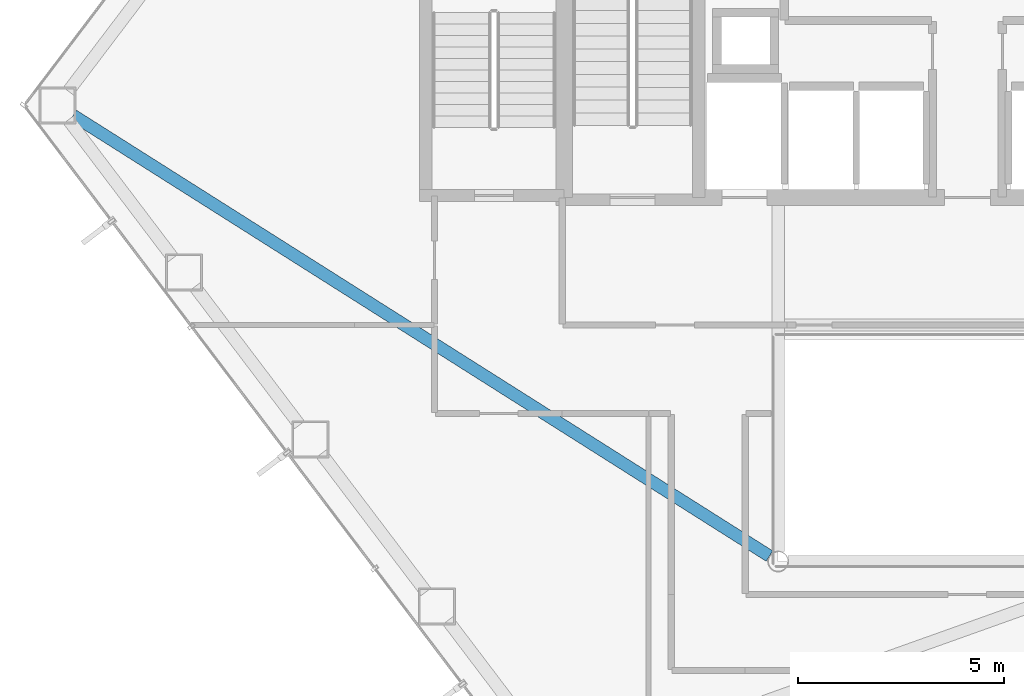
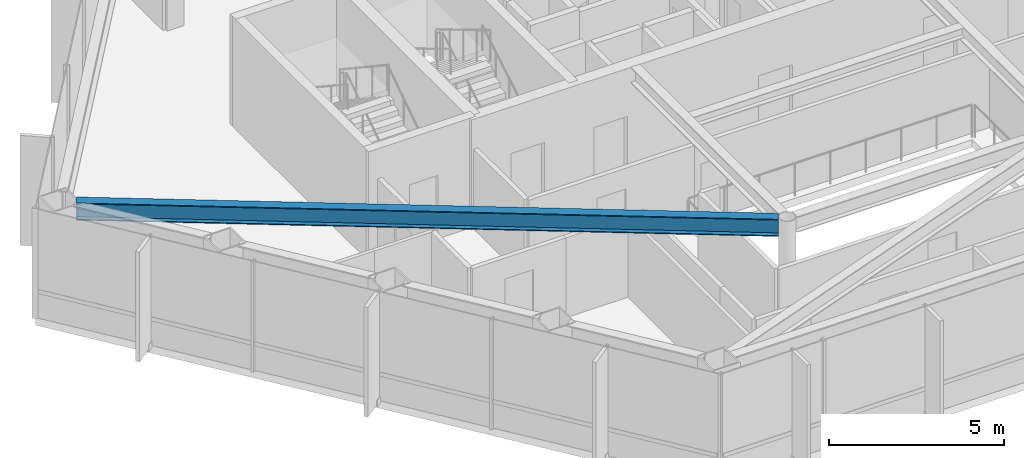
# One storey, part 5 of 24: 1 beam.
"""IFC4 building model written with IfcOpenShell, lengths in metres."""

from ifc_helpers import new_model, si_unit, direction, frame, origin, origin_2d, place, context, subcontext, project, spatial, i_section, extrude, material, material_profile, profile_set, type_object, element, save


model = new_model("IFC4")

# Units and contexts
model_context = context("Model", 3, precision=1e-05, world=origin(), true_north=direction((0.0, 1.0)))
body_context = subcontext(model_context, "Body", "Model", "MODEL_VIEW")
ifc_project = project(units=[si_unit("LENGTHUNIT", "METRE"), si_unit("AREAUNIT", "SQUARE_METRE"), si_unit("VOLUMEUNIT", "CUBIC_METRE"), si_unit("PLANEANGLEUNIT", "RADIAN"), si_unit("MASSUNIT", "GRAM", prefix="KILO")], contexts=[model_context])

# Site, building, storey
site_placement = place(None, origin())
site = spatial("IfcSite", under=ifc_project, at=site_placement, CompositionType="ELEMENT")
building_placement = place(site_placement, origin())
building = spatial("IfcBuilding", under=site, at=building_placement, Name="Zarrinselat Tower", CompositionType="ELEMENT")
storey_placement = place(building_placement, frame((0.0, 0.0, 72.419921875)))
storey = spatial("IfcBuildingStorey", under=building, at=storey_placement, Name="L17", CompositionType="ELEMENT", Elevation=72.419921875)

# Beam
ifc_material = material(Name="Steel S355J2", Category="steel")
ifc_material_profile = material_profile(ifc_material, i_section(OverallWidth=0.300048828125, OverallDepth=0.60009765625, WebThickness=0.015380859375, FlangeThickness=0.030029296875, at=origin_2d()), Name="HEB 600")
ifc_profile_set = profile_set([ifc_material_profile], Name="Steel S355J2")
beam_type = type_object("IfcBeamType", Name="BM-HEB600", PredefinedType="BEAM", material=ifc_profile_set)
beam_placement = place(storey_placement, frame((16.662841796875, 35.2451171875, 3.52001953125), z_axis=(0.845004877586, -0.534758596804, 0.0), x_axis=(0.534758596804, 0.845004877586, 0.0)))
element("IfcBeam", 1, at=beam_placement, inside=storey, type_object=beam_type, Name="L17 Radial Primary Girder RG06", PredefinedType="BEAM", context=body_context, shape_type="SweptSolid", body=[
    extrude(i_section(OverallWidth=0.300048828125, OverallDepth=0.60009765625, WebThickness=0.015380859375, FlangeThickness=0.030029296875, at=origin_2d()), origin(), (0.0, 0.0, 1.0), 20.0302734375),
])

save(model, "model.ifc")
